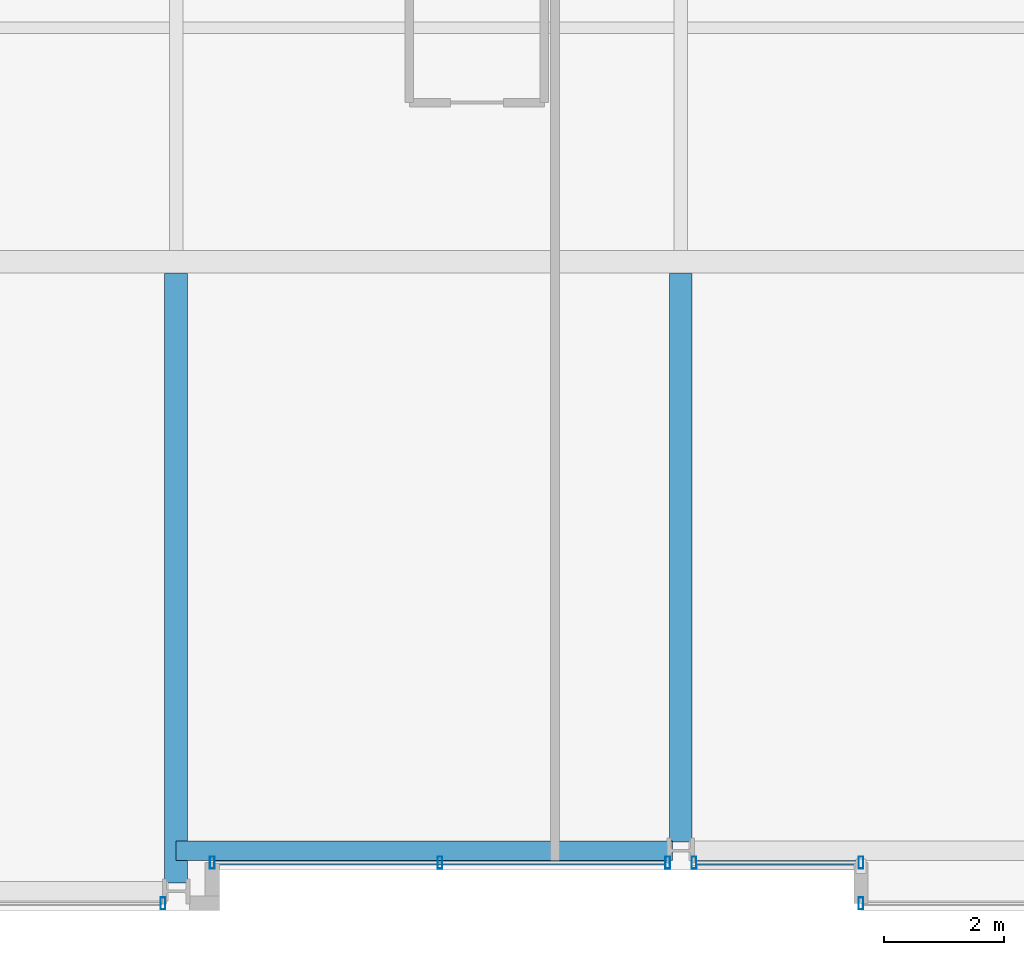
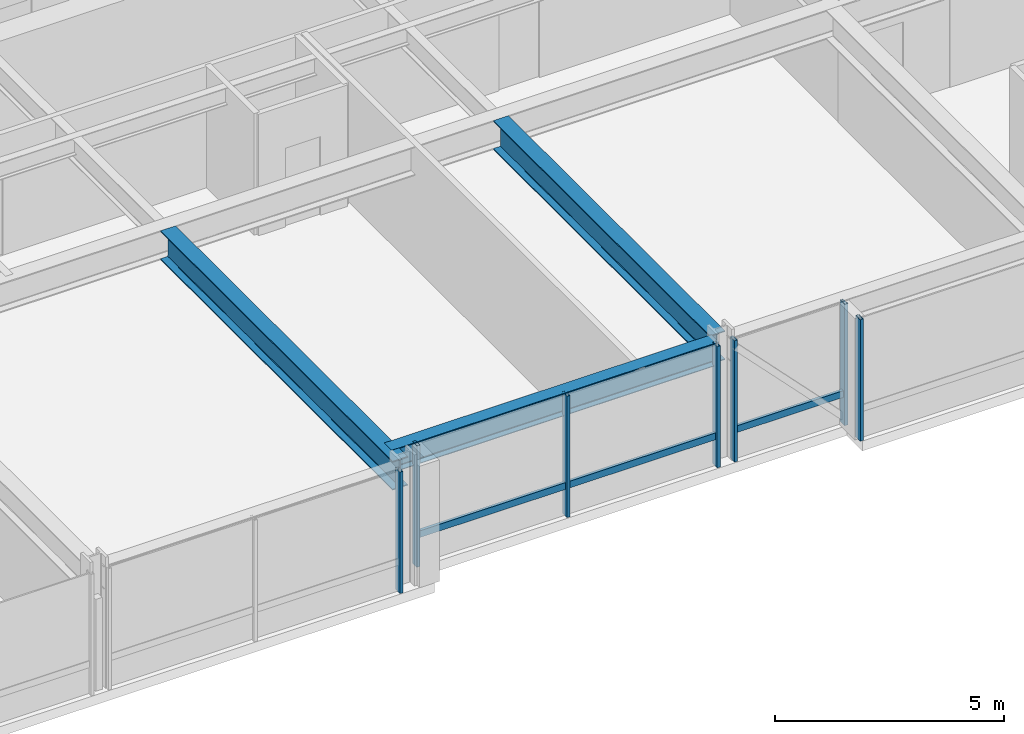
# One storey, part 5 of 34: 9 members, 3 beams, 4 elements without a shape of their own.
"""IFC4 building model written with IfcOpenShell, lengths in metres."""

from ifc_helpers import new_model, si_unit, direction, frame, origin, origin_2d, place, context, subcontext, project, spatial, hollow_rectangle, i_section, extrude, material, layer, layer_set, material_profile, profile_set, type_object, element, aggregate, save


model = new_model("IFC4")

# Units and contexts
model_context = context("Model", 3, precision=1e-05, world=origin(), true_north=direction((0.0, 1.0)))
body_context = subcontext(model_context, "Body", "Model", "MODEL_VIEW")
ifc_project = project(units=[si_unit("LENGTHUNIT", "METRE"), si_unit("AREAUNIT", "SQUARE_METRE"), si_unit("VOLUMEUNIT", "CUBIC_METRE"), si_unit("PLANEANGLEUNIT", "RADIAN"), si_unit("MASSUNIT", "GRAM", prefix="KILO")], contexts=[model_context])

# Site, building, storey
site_placement = place(None, origin())
site = spatial("IfcSite", under=ifc_project, at=site_placement, CompositionType="ELEMENT")
building_placement = place(site_placement, origin())
building = spatial("IfcBuilding", under=site, at=building_placement, Name="Drelvath Grand Hotel", CompositionType="ELEMENT")
storey_placement = place(building_placement, frame((0.0, 0.0, 102.300048828125)))
storey = spatial("IfcBuildingStorey", under=building, at=storey_placement, Name="L25", CompositionType="ELEMENT", Elevation=102.300048828125)

# Curtain wall, member
ifc_material_1 = material(Name="Champagne Bronze Anodised Aluminium Frame", Category="aluminium")
ifc_layer = layer(ifc_material_1, 0.199951171875)
ifc_layer_set = layer_set([ifc_layer], Name="Champagne Bronze Anodised Aluminium Frame")
curtain_wall_type = type_object("IfcCurtainWallType", Name="Stick Curtain Wall CW-03 Champagne Bronze Mid-Rise", PredefinedType="NOTDEFINED", material=ifc_layer_set)
curtain_wall_1_placement = place(storey_placement, origin())
curtain_wall_1 = element("IfcCurtainWall", 1, at=curtain_wall_1_placement, inside=storey, type_object=curtain_wall_type, Name="L25 CW-03 Curtain Wall CW03-L25-SM1", PredefinedType="NOTDEFINED")
ifc_material_profile_1 = material_profile(ifc_material_1, hollow_rectangle(XDim=0.074951171875, YDim=0.179931640625, WallThickness=0.0048828125, at=origin_2d()), Name="HSS180X75X5")
ifc_profile_set_1 = profile_set([ifc_material_profile_1], Name="Champagne Bronze Anodised Aluminium Frame")
member_type_1 = type_object("IfcMemberType", Name="Curtain Wall Horizontal Transom CW-03 HSS180X75X5", PredefinedType="USERDEFINED", material=ifc_profile_set_1)
member_1_placement = place(storey_placement, frame((-0.259521484375, 0.800048828125, 0.81005859375), z_axis=(-1.0, 0.0, 0.0), x_axis=(0.0, -1.0, 0.0)))
member_1 = element("IfcMember", 2, at=member_1_placement, type_object=member_type_1, Name="CW03-L25-SM1 Sill Transom", ObjectType="TRANSOM", PredefinedType="USERDEFINED", context=body_context, shape_type="SweptSolid", body=[
    extrude(hollow_rectangle(XDim=0.074951171875, YDim=0.179931640625, WallThickness=0.0048828125, at=origin_2d()), origin(), (0.0, 0.0, 1.0), 7.50048828125),
])

curtain_wall_2_placement = place(storey_placement, origin())
curtain_wall_2 = element("IfcCurtainWall", 3, at=curtain_wall_2_placement, inside=storey, type_object=curtain_wall_type, Name="L25 CW-03 Curtain Wall CW03-L25-SM2", PredefinedType="NOTDEFINED")
member_2_placement = place(storey_placement, frame((2.9599609375, 0.800048828125, 0.81005859375), z_axis=(-1.0, 0.0, 0.0), x_axis=(0.0, -1.0, 0.0)))
member_2 = element("IfcMember", 4, at=member_2_placement, type_object=member_type_1, Name="CW03-L25-SM2 Sill Transom", ObjectType="TRANSOM", PredefinedType="USERDEFINED", context=body_context, shape_type="SweptSolid", body=[
    extrude(hollow_rectangle(XDim=0.074951171875, YDim=0.179931640625, WallThickness=0.0048828125, at=origin_2d()), origin(), (0.0, 0.0, 1.0), 2.700439453125),
])

curtain_wall_3_placement = place(storey_placement, origin())
curtain_wall_3 = element("IfcCurtainWall", 5, at=curtain_wall_3_placement, inside=storey, type_object=curtain_wall_type, Name="L25 CW-03 Curtain Wall CW03-L25-SE1", PredefinedType="NOTDEFINED")
ifc_material_profile_2 = material_profile(ifc_material_1, hollow_rectangle(XDim=0.080078125, YDim=0.199951171875, WallThickness=0.0048828125, at=origin_2d()), Name="HSS200X80X5")
ifc_profile_set_2 = profile_set([ifc_material_profile_2], Name="Champagne Bronze Anodised Aluminium Frame")
member_type_2 = type_object("IfcMemberType", Name="Curtain Wall Vertical Mullion CW-03 HSS200X80X5", PredefinedType="MULLION", material=ifc_profile_set_2)
member_3_placement = place(storey_placement, frame((3.0, 0.1201171875, 0.0), z_axis=(0.0, 0.0, 1.0), x_axis=(1.0, 0.0, 0.0)))
member_3 = element("IfcMember", 6, at=member_3_placement, type_object=member_type_2, Name="CW03-L25-SE1 Mullion 2", PredefinedType="MULLION", context=body_context, shape_type="SweptSolid", body=[
    extrude(hollow_rectangle(XDim=0.080078125, YDim=0.199951171875, WallThickness=0.0048828125, at=origin_2d()), origin(), (0.0, 0.0, 1.0), 3.239990234375),
])
aggregate(curtain_wall_3, [member_3])

# Member
member_4_placement = place(storey_placement, frame((-0.219482421875, 0.800048828125, 0.0), z_axis=(0.0, 0.0, 1.0), x_axis=(1.0, 0.0, 0.0)))
member_4 = element("IfcMember", 7, at=member_4_placement, type_object=member_type_2, Name="CW03-L25-SM1 Mullion 1", PredefinedType="MULLION", context=body_context, shape_type="SweptSolid", body=[
    extrude(hollow_rectangle(XDim=0.080078125, YDim=0.199951171875, WallThickness=0.0048828125, at=origin_2d()), origin(), (0.0, 0.0, 1.0), 3.239990234375),
])

member_5_placement = place(storey_placement, frame((-4.009765625, 0.800048828125, 0.0), z_axis=(0.0, 0.0, 1.0), x_axis=(1.0, 0.0, 0.0)))
member_5 = element("IfcMember", 8, at=member_5_placement, type_object=member_type_2, Name="CW03-L25-SM1 Mullion 2", PredefinedType="MULLION", context=body_context, shape_type="SweptSolid", body=[
    extrude(hollow_rectangle(XDim=0.080078125, YDim=0.199951171875, WallThickness=0.0048828125, at=origin_2d()), origin(), (0.0, 0.0, 1.0), 3.239990234375),
])

member_6_placement = place(storey_placement, frame((-7.800048828125, 0.800048828125, 0.0), z_axis=(0.0, 0.0, 1.0), x_axis=(1.0, 0.0, 0.0)))
member_6 = element("IfcMember", 9, at=member_6_placement, type_object=member_type_2, Name="CW03-L25-SM1 Mullion 3", PredefinedType="MULLION", context=body_context, shape_type="SweptSolid", body=[
    extrude(hollow_rectangle(XDim=0.080078125, YDim=0.199951171875, WallThickness=0.0048828125, at=origin_2d()), origin(), (0.0, 0.0, 1.0), 3.239990234375),
])

aggregate(curtain_wall_1, [member_4, member_5, member_6, member_1])

member_7_placement = place(storey_placement, frame((3.0, 0.800048828125, 0.0), z_axis=(0.0, 0.0, 1.0), x_axis=(1.0, 0.0, 0.0)))
member_7 = element("IfcMember", 10, at=member_7_placement, type_object=member_type_2, Name="CW03-L25-SM2 Mullion 1", PredefinedType="MULLION", context=body_context, shape_type="SweptSolid", body=[
    extrude(hollow_rectangle(XDim=0.080078125, YDim=0.199951171875, WallThickness=0.0048828125, at=origin_2d()), origin(), (0.0, 0.0, 1.0), 3.239990234375),
])

member_8_placement = place(storey_placement, frame((0.219482421875, 0.800048828125, 0.0), z_axis=(0.0, 0.0, 1.0), x_axis=(1.0, 0.0, 0.0)))
member_8 = element("IfcMember", 11, at=member_8_placement, type_object=member_type_2, Name="CW03-L25-SM2 Mullion 2", PredefinedType="MULLION", context=body_context, shape_type="SweptSolid", body=[
    extrude(hollow_rectangle(XDim=0.080078125, YDim=0.199951171875, WallThickness=0.0048828125, at=origin_2d()), origin(), (0.0, 0.0, 1.0), 3.239990234375),
])

aggregate(curtain_wall_2, [member_7, member_8, member_2])

# Curtain wall, member
curtain_wall_4_placement = place(storey_placement, origin())
curtain_wall_4 = element("IfcCurtainWall", 12, at=curtain_wall_4_placement, inside=storey, type_object=curtain_wall_type, Name="L25 CW-03 Curtain Wall CW03-L25-SW2", PredefinedType="NOTDEFINED")
member_9_placement = place(storey_placement, frame((-8.61962890625, 0.1201171875, 0.0), z_axis=(0.0, 0.0, 1.0), x_axis=(1.0, 0.0, 0.0)))
member_9 = element("IfcMember", 13, at=member_9_placement, type_object=member_type_2, Name="CW03-L25-SW2 Mullion 1", PredefinedType="MULLION", context=body_context, shape_type="SweptSolid", body=[
    extrude(hollow_rectangle(XDim=0.080078125, YDim=0.199951171875, WallThickness=0.0048828125, at=origin_2d()), origin(), (0.0, 0.0, 1.0), 3.239990234375),
])
aggregate(curtain_wall_4, [member_9])

# Beams
ifc_material_2 = material(Name="Steel ASTM A992 Gr 50", Category="steel")
ifc_material_profile_3 = material_profile(ifc_material_2, i_section(OverallWidth=0.323974609375, OverallDepth=0.611083984375, WebThickness=0.0126953125, FlangeThickness=0.01904296875, FilletRadius=0.02197265625, at=origin_2d()), Name="W24X104")
ifc_profile_set_3 = profile_set([ifc_material_profile_3], Name="Steel ASTM A992 Gr 50")
beam_type_1 = type_object("IfcBeamType", Name="Perimeter Spandrel Beam W24X104", PredefinedType="SPANDREL", material=ifc_profile_set_3)
beam_1_placement = place(storey_placement, frame((-8.39990234375, 1.0, 2.9345703125), z_axis=(1.0, 0.0, 0.0), x_axis=(0.0, 1.0, 0.0)))
element("IfcBeam", 14, at=beam_1_placement, inside=storey, type_object=beam_type_1, Name="L25 Spandrel South Mid W", PredefinedType="SPANDREL", context=body_context, shape_type="SweptSolid", body=[
    extrude(i_section(OverallWidth=0.323974609375, OverallDepth=0.611083984375, WebThickness=0.0126953125, FlangeThickness=0.01904296875, FilletRadius=0.02197265625, at=origin_2d()), origin(), (0.0, 0.0, 1.0), 8.260009765625),
])
ifc_material_profile_4 = material_profile(ifc_material_2, i_section(OverallWidth=0.380615234375, OverallDepth=0.773193359375, WebThickness=0.0166015625, FlangeThickness=0.027099609375, FilletRadius=0.02490234375, at=origin_2d()), Name="W30X173")
ifc_profile_set_4 = profile_set([ifc_material_profile_4], Name="Steel ASTM A992 Gr 50")
beam_type_2 = type_object("IfcBeamType", Name="Primary Floor Girder W30X173", PredefinedType="BEAM", material=ifc_profile_set_4)
beam_2_placement = place(storey_placement, frame((-8.39990234375, 0.4599609375, 2.853271484375), z_axis=(0.0, 1.0, 0.0), x_axis=(-1.0, 0.0, 0.0)))
element("IfcBeam", 15, at=beam_2_placement, inside=storey, type_object=beam_type_2, Name="L25 South Wing Girder 4", PredefinedType="BEAM", context=body_context, shape_type="SweptSolid", body=[
    extrude(i_section(OverallWidth=0.380615234375, OverallDepth=0.773193359375, WebThickness=0.0166015625, FlangeThickness=0.027099609375, FilletRadius=0.02490234375, at=origin_2d()), origin(), (0.0, 0.0, 1.0), 10.149658203125),
])
beam_3_placement = place(storey_placement, frame((0.0, 1.139892578125, 2.853271484375), z_axis=(0.0, 1.0, 0.0), x_axis=(-1.0, 0.0, 0.0)))
element("IfcBeam", 16, at=beam_3_placement, inside=storey, type_object=beam_type_2, Name="L25 South Wing Girder 5", PredefinedType="BEAM", context=body_context, shape_type="SweptSolid", body=[
    extrude(i_section(OverallWidth=0.380615234375, OverallDepth=0.773193359375, WebThickness=0.0166015625, FlangeThickness=0.027099609375, FilletRadius=0.02490234375, at=origin_2d()), origin(), (0.0, 0.0, 1.0), 9.4697265625),
])

save(model, "model.ifc")
